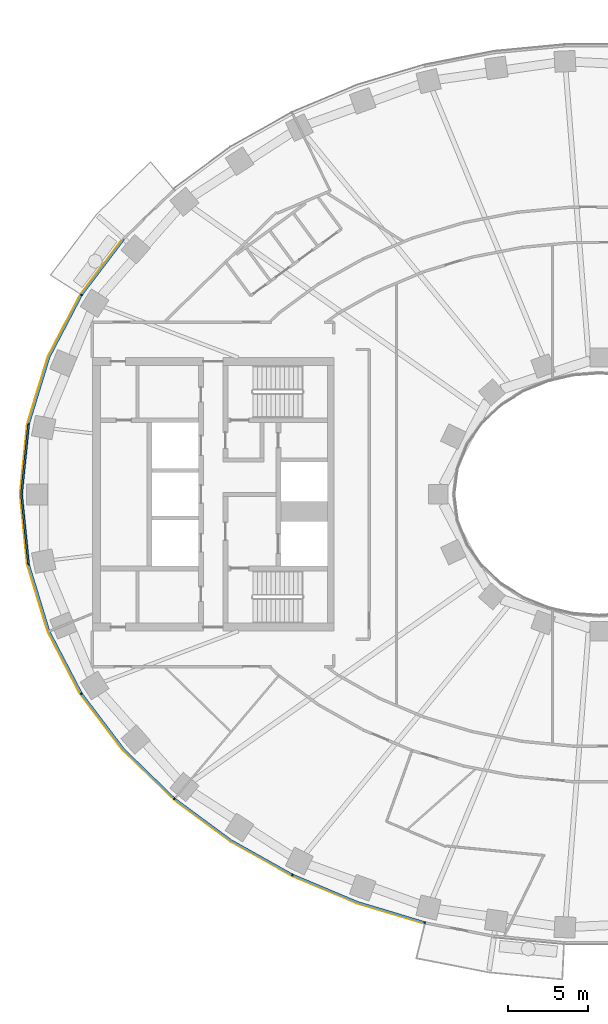
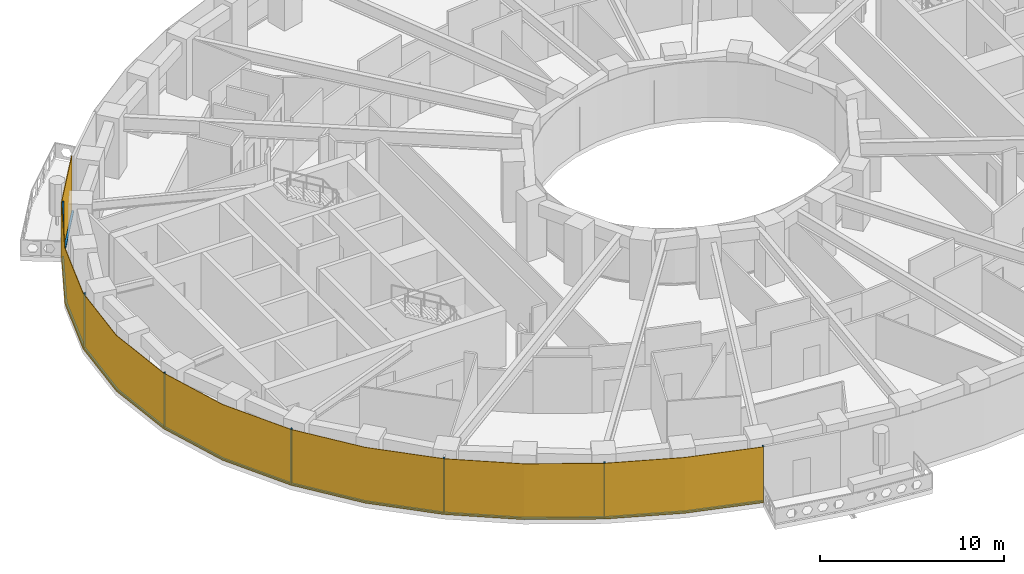
# One storey, part 9 of 17: 14 members, 1 curtain wall.
"""IFC4 building model written with IfcOpenShell, lengths in metres."""

from ifc_helpers import new_model, si_unit, direction, frame, origin, origin_2d, place, context, subcontext, project, spatial, polyline, rectangle, outline, extrude, material, layer, layer_set, material_profile, profile_set, type_object, element, aggregate, save


model = new_model("IFC4")

# Units and contexts
model_context = context("Model", 3, precision=1e-05, world=origin(), true_north=direction((0.0, 1.0)))
body_context = subcontext(model_context, "Body", "Model", "MODEL_VIEW")
ifc_project = project(units=[si_unit("LENGTHUNIT", "METRE"), si_unit("AREAUNIT", "SQUARE_METRE"), si_unit("VOLUMEUNIT", "CUBIC_METRE"), si_unit("PLANEANGLEUNIT", "RADIAN"), si_unit("MASSUNIT", "GRAM", prefix="KILO")], contexts=[model_context])

# Member
ifc_material_1 = material(Name="Aluminium 6063-T6 black anodised", Category="aluminium")
ifc_material_profile = material_profile(ifc_material_1, rectangle(XDim=0.1201171875, YDim=0.06005859375, at=origin_2d()), Name="120x60")
ifc_profile_set = profile_set([ifc_material_profile], Name="Aluminium 6063-T6 black anodised")
member_type_1 = type_object("IfcMemberType", Name="ENV-MULLION-A-120", PredefinedType="MULLION", material=ifc_profile_set)
site_placement = place(None, origin())
building_placement = place(site_placement, origin())
storey_placement = place(building_placement, frame((0.0, 0.0, 112.0)))
member_1_placement = place(storey_placement, frame((-32.177490234375, 12.385498046875, 0.0), z_axis=(0.0, 0.0, 1.0), x_axis=(0.844829880882, -0.53503501976, 0.0)))
member_1 = element("IfcMember", 1, at=member_1_placement, type_object=member_type_1, Name="Mullion A radial 21", PredefinedType="MULLION", context=body_context, shape_type="SweptSolid", body=[
    extrude(rectangle(XDim=0.1201171875, YDim=0.06005859375, at=origin_2d()), origin(), (0.0, 0.0, 1.0), 3.699951171875),
])

member_2_placement = place(storey_placement, frame((-35.470947265625, 4.340576171875, 0.0), z_axis=(0.0, 0.0, 1.0), x_axis=(0.980379083141, -0.19712141776, 0.0)))
member_2 = element("IfcMember", 2, at=member_2_placement, type_object=member_type_1, Name="Mullion A radial 23", PredefinedType="MULLION", context=body_context, shape_type="SweptSolid", body=[
    extrude(rectangle(XDim=0.1201171875, YDim=0.06005859375, at=origin_2d()), origin(), (0.0, 0.0, 1.0), 3.699951171875),
])

member_3_placement = place(storey_placement, frame((-35.470947265625, -4.340576171875, 0.0), z_axis=(0.0, 0.0, 1.0), x_axis=(0.980379083141, 0.19712141776, 0.0)))
member_3 = element("IfcMember", 3, at=member_3_placement, type_object=member_type_1, Name="Mullion A radial 25", PredefinedType="MULLION", context=body_context, shape_type="SweptSolid", body=[
    extrude(rectangle(XDim=0.1201171875, YDim=0.06005859375, at=origin_2d()), origin(), (0.0, 0.0, 1.0), 3.699951171875),
])

member_4_placement = place(storey_placement, frame((-32.177490234375, -12.385498046875, 0.0), z_axis=(0.0, 0.0, 1.0), x_axis=(0.844829880882, 0.53503501976, 0.0)))
member_4 = element("IfcMember", 4, at=member_4_placement, type_object=member_type_1, Name="Mullion A radial 27", PredefinedType="MULLION", context=body_context, shape_type="SweptSolid", body=[
    extrude(rectangle(XDim=0.1201171875, YDim=0.06005859375, at=origin_2d()), origin(), (0.0, 0.0, 1.0), 3.699951171875),
])

member_5_placement = place(storey_placement, frame((-26.403564453125, -18.9130859375, 0.0), z_axis=(0.0, 0.0, 1.0), x_axis=(0.646451313783, 0.762955240435, 0.0)))
member_5 = element("IfcMember", 5, at=member_5_placement, type_object=member_type_1, Name="Mullion A radial 29", PredefinedType="MULLION", context=body_context, shape_type="SweptSolid", body=[
    extrude(rectangle(XDim=0.1201171875, YDim=0.06005859375, at=origin_2d()), origin(), (0.0, 0.0, 1.0), 3.699951171875),
])

member_6_placement = place(storey_placement, frame((-19.06787109375, -23.6474609375, 0.0), z_axis=(0.0, 0.0, 1.0), x_axis=(0.439237769837, 0.898370848563, 0.0)))
member_6 = element("IfcMember", 6, at=member_6_placement, type_object=member_type_1, Name="Mullion A radial 31", PredefinedType="MULLION", context=body_context, shape_type="SweptSolid", body=[
    extrude(rectangle(XDim=0.1201171875, YDim=0.06005859375, at=origin_2d()), origin(), (0.0, 0.0, 1.0), 3.699951171875),
])

member_7_placement = place(storey_placement, frame((-10.84326171875, -26.60498046875, 0.0), z_axis=(0.0, 0.0, 1.0), x_axis=(0.239799081534, 0.970822538106, 0.0)))
member_7 = element("IfcMember", 7, at=member_7_placement, type_object=member_type_1, Name="Mullion A radial 33", PredefinedType="MULLION", context=body_context, shape_type="SweptSolid", body=[
    extrude(rectangle(XDim=0.1201171875, YDim=0.06005859375, at=origin_2d()), origin(), (0.0, 0.0, 1.0), 3.699951171875),
])

ifc_material_2 = material(Name="Aluminium 6063-T6 black anodised", Category="aluminium")
member_type_2 = type_object("IfcMemberType", Name="ENV-TRANSOM-A", PredefinedType="USERDEFINED", material=ifc_material_2)
member_8_placement = place(storey_placement, origin())
member_8 = element("IfcMember", 8, at=member_8_placement, type_object=member_type_2, Name="Transom A radial 20-21", ObjectType="TRANSOM", PredefinedType="USERDEFINED", context=body_context, shape_type="SweptSolid", body=[
    extrude(outline(polyline([(-29.595703125, 15.890869140625), (-32.211181640625, 12.43994140625), (-32.109375, 12.37548828125), (-29.505615234375, 15.811279296875), (-29.595703125, 15.890869140625)])), origin(), (0.0, 0.0, 1.0), 0.10009765625),
])

member_9_placement = place(storey_placement, origin())
member_9 = element("IfcMember", 9, at=member_9_placement, type_object=member_type_2, Name="Transom A radial 21-23", ObjectType="TRANSOM", PredefinedType="USERDEFINED", context=body_context, shape_type="SweptSolid", body=[
    extrude(outline(polyline([(-32.240966796875, 12.392578125), (-34.251220703125, 8.53662109375), (-35.521484375, 4.379150390625), (-35.4033203125, 4.355224609375), (-34.139892578125, 8.490966796875), (-32.139404296875, 12.328369140625), (-32.240966796875, 12.392578125)])), origin(), (0.0, 0.0, 1.0), 0.10009765625),
])

member_10_placement = place(storey_placement, origin())
member_10 = element("IfcMember", 10, at=member_10_placement, type_object=member_type_2, Name="Transom A radial 23-25", ObjectType="TRANSOM", PredefinedType="USERDEFINED", context=body_context, shape_type="SweptSolid", body=[
    extrude(outline(polyline([(-35.532470703125, 4.324462890625), (-35.9677734375, 0.0), (-35.532470703125, -4.324462890625), (-35.414306640625, -4.30078125), (-35.84716796875, 0.0), (-35.414306640625, 4.30078125), (-35.532470703125, 4.324462890625)])), origin(), (0.0, 0.0, 1.0), 0.10009765625),
])

member_11_placement = place(storey_placement, origin())
member_11 = element("IfcMember", 11, at=member_11_placement, type_object=member_type_2, Name="Transom A radial 25-27", ObjectType="TRANSOM", PredefinedType="USERDEFINED", context=body_context, shape_type="SweptSolid", body=[
    extrude(outline(polyline([(-35.521484375, -4.379150390625), (-34.251220703125, -8.53662109375), (-32.240966796875, -12.392578125), (-32.139404296875, -12.328369140625), (-34.139892578125, -8.490966796875), (-35.4033203125, -4.355224609375), (-35.521484375, -4.379150390625)])), origin(), (0.0, 0.0, 1.0), 0.10009765625),
])

member_12_placement = place(storey_placement, origin())
member_12 = element("IfcMember", 12, at=member_12_placement, type_object=member_type_2, Name="Transom A radial 27-29", ObjectType="TRANSOM", PredefinedType="USERDEFINED", context=body_context, shape_type="SweptSolid", body=[
    extrude(outline(polyline([(-32.211181640625, -12.43994140625), (-29.58349609375, -15.906982421875), (-26.46240234375, -18.939208984375), (-26.384765625, -18.847412109375), (-29.493408203125, -15.8271484375), (-32.109375, -12.37548828125), (-32.211181640625, -12.43994140625)])), origin(), (0.0, 0.0, 1.0), 0.10009765625),
])

member_13_placement = place(storey_placement, origin())
member_13 = element("IfcMember", 13, at=member_13_placement, type_object=member_type_2, Name="Transom A radial 29-31", ObjectType="TRANSOM", PredefinedType="USERDEFINED", context=body_context, shape_type="SweptSolid", body=[
    extrude(outline(polyline([(-26.419921875, -18.975341796875), (-22.9150390625, -21.556884765625), (-19.11865234375, -23.687744140625), (-19.06591796875, -23.57958984375), (-22.85009765625, -21.455810546875), (-26.342041015625, -18.883544921875), (-26.419921875, -18.975341796875)])), origin(), (0.0, 0.0, 1.0), 0.10009765625),
])

member_14_placement = place(storey_placement, origin())
member_14 = element("IfcMember", 14, at=member_14_placement, type_object=member_type_2, Name="Transom A radial 31-33", ObjectType="TRANSOM", PredefinedType="USERDEFINED", context=body_context, shape_type="SweptSolid", body=[
    extrude(outline(polyline([(-19.068359375, -23.71240234375), (-15.054443359375, -25.400146484375), (-10.884521484375, -26.655029296875), (-10.855712890625, -26.53857421875), (-15.013916015625, -25.287109375), (-19.015380859375, -23.604248046875), (-19.068359375, -23.71240234375)])), origin(), (0.0, 0.0, 1.0), 0.10009765625),
])

# Site, building, storey
site = spatial("IfcSite", under=ifc_project, at=site_placement, CompositionType="ELEMENT")
building = spatial("IfcBuilding", under=site, at=building_placement, Name="Noorbagh Ring Tower", CompositionType="ELEMENT")
storey = spatial("IfcBuildingStorey", under=building, at=storey_placement, Name="L25", CompositionType="ELEMENT", Elevation=112.0)

# Curtain wall
ifc_material_3 = material(Name="Glass dark tinted laminated", Category="glass")
ifc_layer = layer(ifc_material_3, 0.031982421875)
ifc_layer_set = layer_set([ifc_layer], Name="Glass dark tinted laminated")
curtain_wall_type = type_object("IfcCurtainWallType", Name="ENV-CW-A", PredefinedType="NOTDEFINED", material=ifc_layer_set)
curtain_wall_placement = place(storey_placement, origin())
curtain_wall = element("IfcCurtainWall", 15, at=curtain_wall_placement, inside=storey, type_object=curtain_wall_type, Name="Curtain wall A R20", PredefinedType="NOTDEFINED", context=body_context, shape_type="SweptSolid", body=[
    extrude(outline(polyline([(-29.61962890625, 15.912109375), (-32.255126953125, 12.434814453125), (-34.281005859375, 8.548828125), (-35.561279296875, 4.358642578125), (-36.0, 0.0), (-35.561279296875, -4.358642578125), (-34.281005859375, -8.548828125), (-32.255126953125, -12.434814453125), (-29.607666015625, -15.927978515625), (-26.463134765625, -18.9833984375), (-22.9326171875, -21.583740234375), (-19.108154296875, -23.730224609375), (-15.065185546875, -25.430419921875), (-10.884521484375, -26.6884765625), (-10.876708984375, -26.657470703125), (-15.054443359375, -25.400146484375), (-19.093994140625, -23.701416015625), (-22.9150390625, -21.556884765625), (-26.4423828125, -18.958740234375), (-29.58349609375, -15.906982421875), (-32.22802734375, -12.41748046875), (-34.251220703125, -8.53662109375), (-35.529541015625, -4.352294921875), (-35.9677734375, 0.0), (-35.529541015625, 4.352294921875), (-34.251220703125, 8.53662109375), (-32.22802734375, 12.41748046875), (-29.595703125, 15.890869140625), (-29.61962890625, 15.912109375)])), origin(), (0.0, 0.0, 1.0), 3.699951171875),
])

aggregate(curtain_wall, [member_1, member_2, member_3, member_4, member_5, member_6, member_7, member_8, member_9, member_10, member_11, member_12, member_13, member_14])

save(model, "model.ifc")
